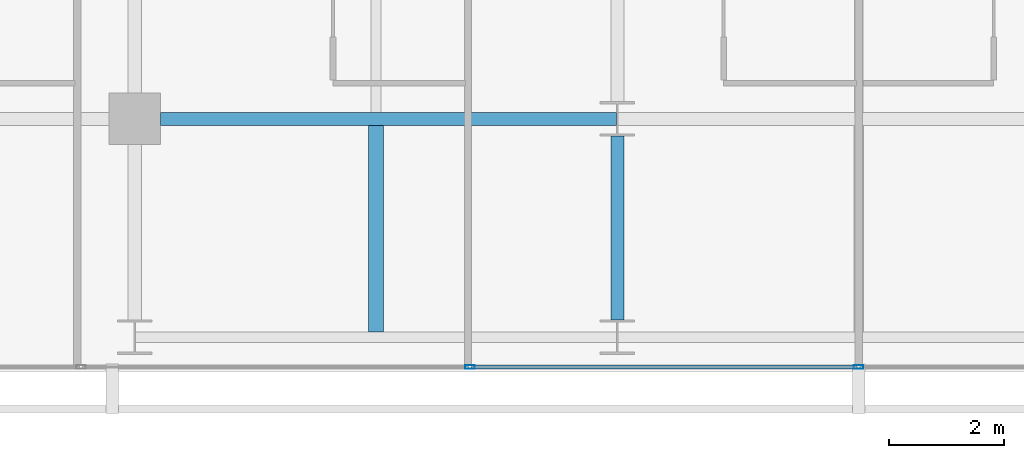
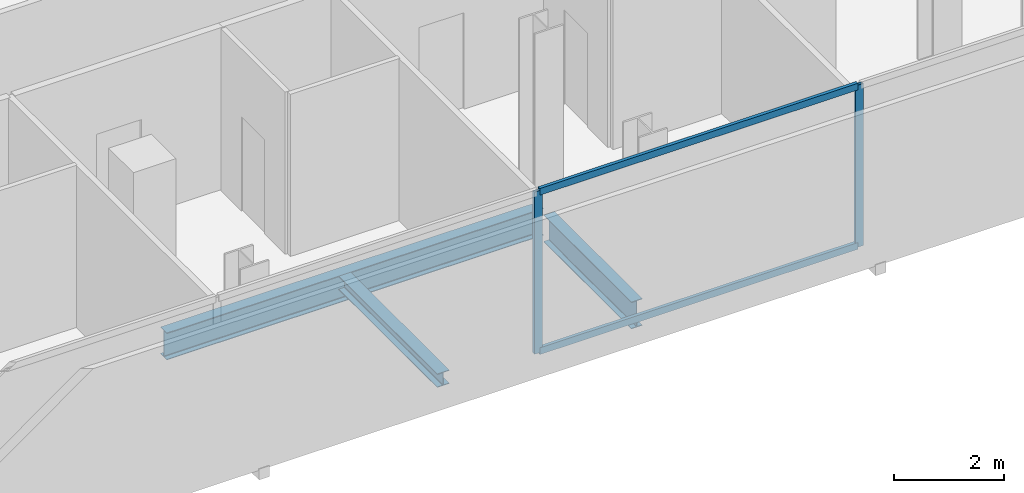
# One storey, part 6 of 33: 4 members, 3 beams, 1 element without a shape of its own.
"""IFC4 building model written with IfcOpenShell, lengths in metres."""

from ifc_helpers import new_model, si_unit, direction, frame, origin, origin_2d, place, context, subcontext, project, spatial, hollow_rectangle, i_section, extrude, material, layer, layer_set, material_profile, profile_set, type_object, element, aggregate, save


model = new_model("IFC4")

# Units and contexts
model_context = context("Model", 3, precision=1e-05, world=origin(), true_north=direction((0.0, 1.0)))
body_context = subcontext(model_context, "Body", "Model", "MODEL_VIEW")
ifc_project = project(units=[si_unit("LENGTHUNIT", "METRE"), si_unit("AREAUNIT", "SQUARE_METRE"), si_unit("VOLUMEUNIT", "CUBIC_METRE"), si_unit("PLANEANGLEUNIT", "RADIAN"), si_unit("MASSUNIT", "GRAM", prefix="KILO")], contexts=[model_context])

# Site, building, storey
site_placement = place(None, origin())
site = spatial("IfcSite", under=ifc_project, at=site_placement, CompositionType="ELEMENT")
building_placement = place(site_placement, origin())
building = spatial("IfcBuilding", under=site, at=building_placement, Name="Maruvema Waterfront Hotel and Observation Tower", CompositionType="ELEMENT")
storey_placement = place(building_placement, frame((0.0, 0.0, 158.199951171875)))
storey = spatial("IfcBuildingStorey", under=building, at=storey_placement, Name="L38", CompositionType="ELEMENT", Elevation=158.199951171875)

# Curtain wall, members
ifc_material_1 = material(Name="Anodised bronze aluminium and solar-control low-E IGU", Category="aluminium")
ifc_layer = layer(ifc_material_1, 0.159912109375, Name="Zone 2 Amber Inner Thermal Curtain Wall System CW-03")
ifc_layer_set = layer_set([ifc_layer], Name="Anodised bronze aluminium and solar-control low-E IGU")
curtain_wall_type = type_object("IfcCurtainWallType", Name="Zone 2 Amber Inner Thermal Curtain Wall System CW-03", PredefinedType="USERDEFINED", material=ifc_layer_set)
curtain_wall_placement = place(storey_placement, origin())
curtain_wall = element("IfcCurtainWall", 1, at=curtain_wall_placement, inside=storey, type_object=curtain_wall_type, Name="L38 Curtain Wall CW-L38-S", ObjectType="UNITISED CURTAIN WALL", PredefinedType="USERDEFINED")
ifc_material_2 = material(Name="Anodised architectural bronze aluminium", Category="aluminium")
ifc_material_profile_1 = material_profile(ifc_material_2, hollow_rectangle(XDim=0.070068359375, YDim=0.14990234375, WallThickness=0.00390625, at=origin_2d()), Name="ALU-T70x150")
ifc_profile_set_1 = profile_set([ifc_material_profile_1], Name="Anodised architectural bronze aluminium")
member_type_1 = type_object("IfcMemberType", Name="Curtain Wall Horizontal Transom ALU-T70x150", PredefinedType="USERDEFINED", material=ifc_profile_set_1)
member_1_placement = place(storey_placement, frame((31.063232421875, 4.679931640625, 0.030029296875), z_axis=(1.0, 0.0, 0.0), x_axis=(0.0, 1.0, 0.0)))
member_1 = element("IfcMember", 2, at=member_1_placement, type_object=member_type_1, Name="CW-03 transom 3.1", ObjectType="TRANSOM", PredefinedType="USERDEFINED", context=body_context, shape_type="SweptSolid", body=[
    extrude(hollow_rectangle(XDim=0.070068359375, YDim=0.14990234375, WallThickness=0.00390625, at=origin_2d()), origin(), (0.0, 0.0, 1.0), 6.706787109375),
])
member_2_placement = place(storey_placement, frame((31.063232421875, 4.679931640625, 3.580078125), z_axis=(1.0, 0.0, 0.0), x_axis=(0.0, 1.0, 0.0)))
member_2 = element("IfcMember", 3, at=member_2_placement, type_object=member_type_1, Name="CW-03 transom 3.2", ObjectType="TRANSOM", PredefinedType="USERDEFINED", context=body_context, shape_type="SweptSolid", body=[
    extrude(hollow_rectangle(XDim=0.070068359375, YDim=0.14990234375, WallThickness=0.00390625, at=origin_2d()), origin(), (0.0, 0.0, 1.0), 6.706787109375),
])
ifc_material_3 = material(Name="Anodised architectural bronze aluminium", Category="aluminium")
ifc_material_profile_2 = material_profile(ifc_material_3, hollow_rectangle(XDim=0.06494140625, YDim=0.1650390625, WallThickness=0.00390625, at=origin_2d()), Name="ALU-M65x165")
ifc_profile_set_2 = profile_set([ifc_material_profile_2], Name="Anodised architectural bronze aluminium")
member_type_2 = type_object("IfcMemberType", Name="Curtain Wall Primary Mullion ALU-M65x165", PredefinedType="MULLION", material=ifc_profile_set_2)
member_3_placement = place(storey_placement, frame((31.033447265625, 4.679931640625, 0.0), z_axis=(0.0, 0.0, 1.0), x_axis=(0.0, 1.0, 0.0)))
member_3 = element("IfcMember", 4, at=member_3_placement, type_object=member_type_2, Name="CW-03 mullion 3", PredefinedType="MULLION", context=body_context, shape_type="SweptSolid", body=[
    extrude(hollow_rectangle(XDim=0.06494140625, YDim=0.1650390625, WallThickness=0.00390625, at=origin_2d()), origin(), (0.0, 0.0, 1.0), 3.610107421875),
])
member_4_placement = place(storey_placement, frame((37.800048828125, 4.679931640625, 0.0), z_axis=(0.0, 0.0, 1.0), x_axis=(0.0, 1.0, 0.0)))
member_4 = element("IfcMember", 5, at=member_4_placement, type_object=member_type_2, Name="CW-03 mullion 4", PredefinedType="MULLION", context=body_context, shape_type="SweptSolid", body=[
    extrude(hollow_rectangle(XDim=0.06494140625, YDim=0.1650390625, WallThickness=0.00390625, at=origin_2d()), origin(), (0.0, 0.0, 1.0), 3.610107421875),
])
aggregate(curtain_wall, [member_3, member_4, member_1, member_2])

# Beams
ifc_material_4 = material(Name="Steel ASTM A572 Grade 50", Category="steel")
ifc_material_profile_3 = material_profile(ifc_material_4, i_section(OverallWidth=0.22802734375, OverallDepth=0.60302734375, WebThickness=0.010498046875, FlangeThickness=0.014892578125, FilletRadius=0.01806640625, at=origin_2d()), Name="W610x101.0")
ifc_profile_set_3 = profile_set([ifc_material_profile_3], Name="Steel ASTM A572 Grade 50")
beam_type_1 = type_object("IfcBeamType", Name="Primary Floor Girder W610x101.0", PredefinedType="BEAM", material=ifc_profile_set_3)
beam_1_placement = place(storey_placement, frame((25.64990234375, 9.0, -0.54150390625), z_axis=(1.0, 0.0, 0.0), x_axis=(0.0, 1.0, 0.0)))
element("IfcBeam", 6, at=beam_1_placement, inside=storey, type_object=beam_type_1, Name="L38 Floor Girder EW-06", PredefinedType="BEAM", context=body_context, shape_type="SweptSolid", body=[
    extrude(i_section(OverallWidth=0.22802734375, OverallDepth=0.60302734375, WebThickness=0.010498046875, FlangeThickness=0.014892578125, FilletRadius=0.01806640625, at=origin_2d()), origin(), (0.0, 0.0, 1.0), 7.9375),
])
beam_2_placement = place(storey_placement, frame((33.60009765625, 5.5, -0.54150390625), z_axis=(0.0, 1.0, 0.0), x_axis=(-1.0, 0.0, 0.0)))
element("IfcBeam", 7, at=beam_2_placement, inside=storey, type_object=beam_type_1, Name="L38 Floor Girder NS-14", PredefinedType="BEAM", context=body_context, shape_type="SweptSolid", body=[
    extrude(i_section(OverallWidth=0.22802734375, OverallDepth=0.60302734375, WebThickness=0.010498046875, FlangeThickness=0.014892578125, FilletRadius=0.01806640625, at=origin_2d()), origin(), (0.0, 0.0, 1.0), 3.199951171875),
])
ifc_material_5 = material(Name="Steel ASTM A572 Grade 50", Category="steel")
ifc_material_profile_4 = material_profile(ifc_material_5, i_section(OverallWidth=0.25390625, OverallDepth=0.305908203125, WebThickness=0.0087890625, FlangeThickness=0.0146484375, FilletRadius=0.014892578125, at=origin_2d()), Name="W310x79.0")
ifc_profile_set_4 = profile_set([ifc_material_profile_4], Name="Steel ASTM A572 Grade 50")
beam_type_2 = type_object("IfcBeamType", Name="Secondary Floor Joist W310x79.0", PredefinedType="JOIST", material=ifc_profile_set_4)
beam_3_placement = place(storey_placement, frame((29.39990234375, 5.29052734375, -0.39306640625), z_axis=(0.0, 1.0, 0.0), x_axis=(-1.0, 0.0, 0.0)))
element("IfcBeam", 8, at=beam_3_placement, inside=storey, type_object=beam_type_2, Name="L38 Secondary Floor Joist JS-05", PredefinedType="JOIST", context=body_context, shape_type="SweptSolid", body=[
    extrude(i_section(OverallWidth=0.25390625, OverallDepth=0.305908203125, WebThickness=0.0087890625, FlangeThickness=0.0146484375, FilletRadius=0.014892578125, at=origin_2d()), origin(), (0.0, 0.0, 1.0), 3.595458984375),
])

save(model, "model.ifc")
